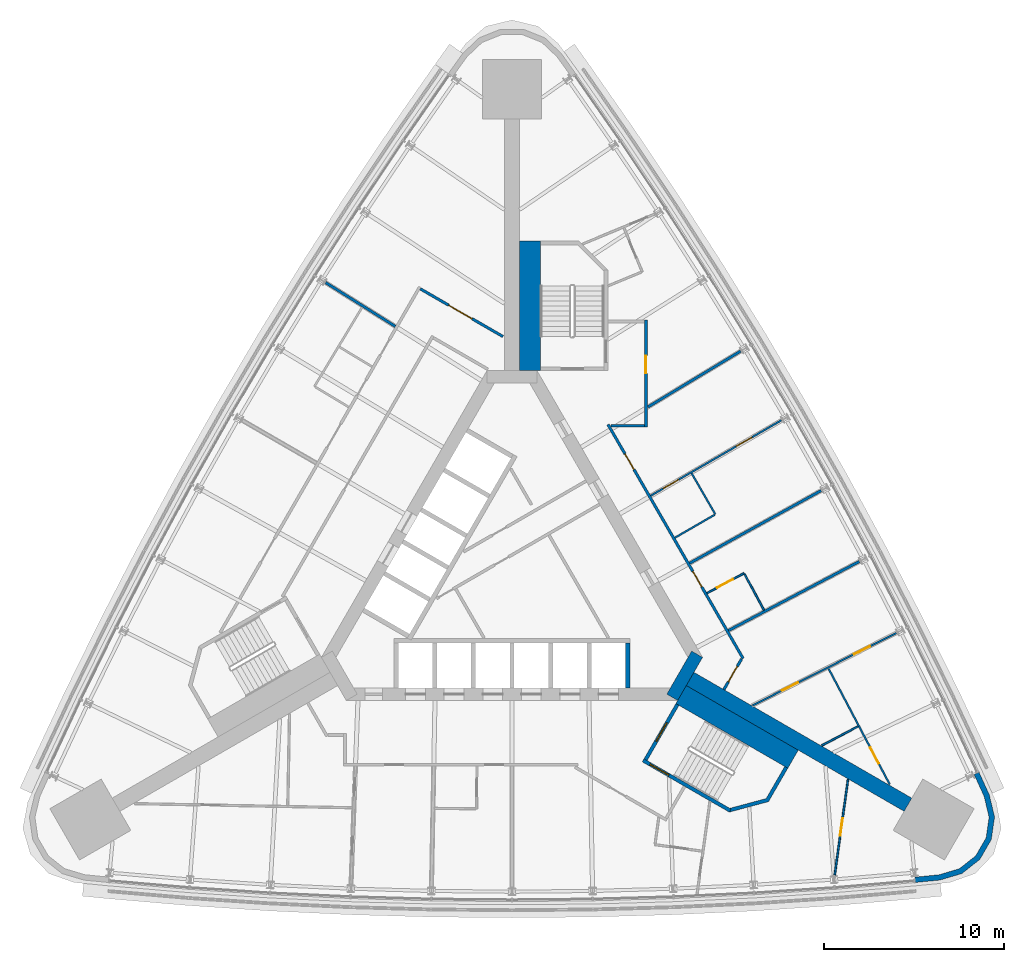
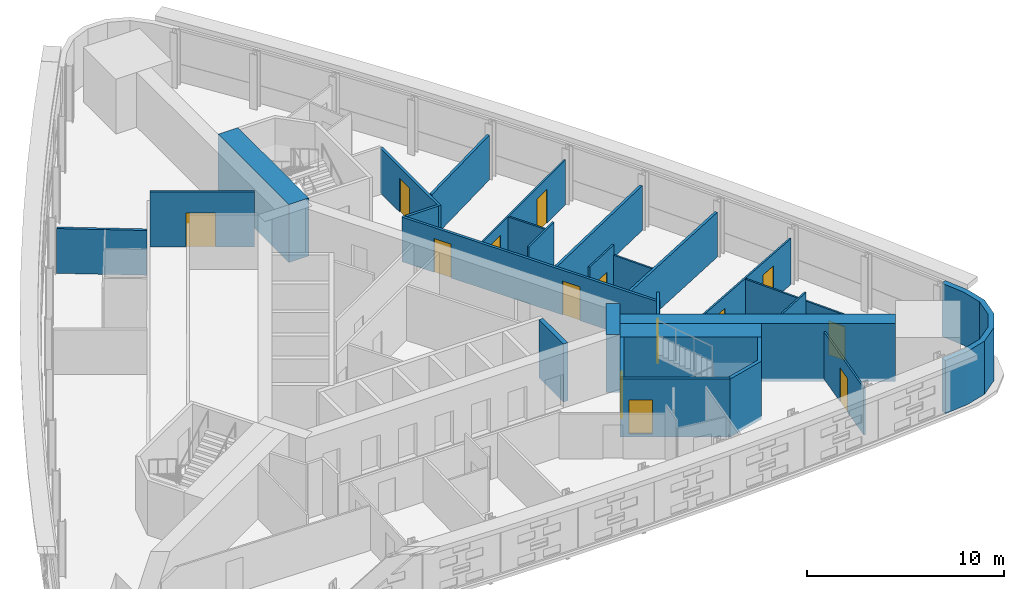
# One storey, part 12 of 15: 27 walls, 14 doors, 14 openings.
"""IFC4 building model written with IfcOpenShell, lengths in metres."""

from ifc_helpers import new_model, si_unit, direction, frame, frame_2d, origin, place, context, subcontext, project, spatial, polyline, rectangle, outline, extrude, material, layer, layer_set, type_object, element, fill, save


model = new_model("IFC4")

# Units and contexts
model_context = context("Model", 3, precision=1e-05, world=origin(), true_north=direction((0.0, 1.0)))
body_context = subcontext(model_context, "Body", "Model", "MODEL_VIEW")
ifc_project = project(units=[si_unit("LENGTHUNIT", "METRE"), si_unit("AREAUNIT", "SQUARE_METRE"), si_unit("VOLUMEUNIT", "CUBIC_METRE"), si_unit("PLANEANGLEUNIT", "RADIAN"), si_unit("MASSUNIT", "GRAM", prefix="KILO")], contexts=[model_context])

# Site, building, storey
site_placement = place(None, origin())
site = spatial("IfcSite", under=ifc_project, at=site_placement, CompositionType="ELEMENT")
building_placement = place(site_placement, origin())
building = spatial("IfcBuilding", under=site, at=building_placement, Name="Noor Cloister Tower", CompositionType="ELEMENT")
storey_placement = place(building_placement, frame((0.0, 0.0, 45.60009765625)))
storey = spatial("IfcBuildingStorey", under=building, at=storey_placement, Name="L11", CompositionType="ELEMENT", Elevation=45.60009765625)

# Walls
ifc_material_1 = material(Name="Concrete C80/95", Category="concrete")
ifc_layer_1 = layer(ifc_material_1, 0.85009765625)
ifc_layer_set_1 = layer_set([ifc_layer_1], Name="Buttress wall 850 C80/95")
wall_type_1 = type_object("IfcWallType", Name="Buttress wall 850 C80/95", PredefinedType="SHEAR", material=ifc_layer_set_1)
wall_1_placement = place(storey_placement, frame((9.921630859375, -5.728271484375, -0.2001953125), z_axis=(0.0, 0.0, 1.0), x_axis=(0.866021666006, -0.500006473966, 0.0)))
element("IfcWall", 1, at=wall_1_placement, inside=storey, type_object=wall_type_1, Name="Buttress wall SE L11", PredefinedType="SHEAR", context=body_context, shape_type="SweptSolid", body=[
    extrude(rectangle(XDim=14.013427734375, YDim=0.85009765625, at=frame_2d((7.0068359375, 0.0))), origin(), (0.0, 0.0, 1.0), 3.60009765625),
])
ifc_material_2 = material(Name="Concrete C80/95", Category="concrete")
ifc_layer_2 = layer(ifc_material_2, 0.699951171875)
ifc_layer_set_2 = layer_set([ifc_layer_2], Name="Core wall 700 C80/95")
wall_type_2 = type_object("IfcWallType", Name="Core wall 700 C80/95", PredefinedType="SHEAR", material=ifc_layer_set_2)
wall_2_placement = place(storey_placement, frame((8.925537109375, -6.753173828125, -0.2001953125), z_axis=(0.0, 0.0, 1.0), x_axis=(0.500042739161, 0.866000726912, 0.0)))
element("IfcWall", 2, at=wall_2_placement, inside=storey, type_object=wall_type_2, Name="Core wall L11 2", PredefinedType="SHEAR", context=body_context, shape_type="SweptSolid", body=[
    extrude(rectangle(XDim=2.771240234375, YDim=0.699951171875, at=frame_2d((1.3857421875, 0.0))), origin(), (0.0, 0.0, 1.0), 3.60009765625),
])

# Wall, openings, doors
ifc_material_3 = material(Name="Gypsum board partition on steel studs, 150 mm", Category="steel")
ifc_layer_3 = layer(ifc_material_3, 0.14990234375)
ifc_layer_set_3 = layer_set([ifc_layer_3], Name="Flat wall 150")
wall_type_3 = type_object("IfcWallType", Name="Flat wall 150", PredefinedType="PARTITIONING", material=ifc_layer_set_3)
wall_3_placement = place(storey_placement, frame((5.34619140625, 8.4462890625, 0.0), z_axis=(0.0, 0.0, 1.0), x_axis=(0.500008781656, -0.866020333634, 0.0)))
wall_3 = element("IfcWall", 3, at=wall_3_placement, inside=storey, type_object=wall_type_3, Name="Flat wall 150 L11 003", PredefinedType="PARTITIONING", context=body_context, shape_type="SweptSolid", body=[
    extrude(rectangle(XDim=15.056884765625, YDim=0.14990234375, at=frame_2d((7.5283203125, 0.0))), origin(), (0.0, 0.0, 1.0), 2.77783203125),
])
opening_1_placement = place(wall_3_placement, frame((9.4462890625, 0.0, 0.0)))
opening_1 = element("IfcOpeningElement", 4, at=opening_1_placement, cuts=wall_3, Name="Opening L11-006", PredefinedType="OPENING", context=body_context, shape_type="SweptSolid", body=[
    extrude(rectangle(XDim=1.0, YDim=2.10009765625, at=frame_2d((0.5, 1.050048828125))), frame((0.0, 0.0849609375, 0.0), z_axis=(0.0, -1.0, 0.0), x_axis=(1.0, 0.0, 0.0)), (0.0, 0.0, 1.0), 0.169921875),
])
opening_2_placement = place(wall_3_placement, frame((1.8916015625, 0.0, 0.0)))
opening_2 = element("IfcOpeningElement", 5, at=opening_2_placement, cuts=wall_3, Name="Opening L11-007", PredefinedType="OPENING", context=body_context, shape_type="SweptSolid", body=[
    extrude(rectangle(XDim=1.0, YDim=2.10009765625, at=frame_2d((0.5, 1.050048828125))), frame((0.0, 0.0849609375, 0.0), z_axis=(0.0, -1.0, 0.0), x_axis=(1.0, 0.0, 0.0)), (0.0, 0.0, 1.0), 0.169921875),
])
ifc_material_4 = material(Name="Timber door leaf with steel frame", Category="steel")
door_type_1 = type_object("IfcDoorType", Name="Assisted living door 1000", OperationType="NOTDEFINED", PredefinedType="DOOR", material=ifc_material_4)
door_1_placement = place(opening_1_placement, origin())
door_1 = element("IfcDoor", 6, at=door_1_placement, inside=storey, type_object=door_type_1, Name="Assisted living door 1000 L11-006", OperationType="SINGLE_SWING_RIGHT", OverallHeight=2.10009765625, OverallWidth=1.0, PredefinedType="DOOR", context=body_context, shape_type="SweptSolid", body=[
    extrude(rectangle(XDim=1.0, YDim=2.10009765625, at=frame_2d((0.5, 1.050048828125))), frame((0.0, 0.02490234375, 0.0), z_axis=(0.0, -1.0, 0.0), x_axis=(1.0, 0.0, 0.0)), (0.0, 0.0, 1.0), 0.050048828125),
])
fill(opening_1, door_1)
ifc_material_5 = material(Name="Timber door leaf with steel frame", Category="steel")
door_type_2 = type_object("IfcDoorType", Name="Flat entrance door 1000 FD60S", OperationType="NOTDEFINED", PredefinedType="DOOR", material=ifc_material_5)
door_2_placement = place(opening_2_placement, origin())
door_2 = element("IfcDoor", 7, at=door_2_placement, inside=storey, type_object=door_type_2, Name="Flat entrance door 1000 L11-007", OperationType="SINGLE_SWING_LEFT", OverallHeight=2.10009765625, OverallWidth=1.0, PredefinedType="DOOR", context=body_context, shape_type="SweptSolid", body=[
    extrude(rectangle(XDim=1.0, YDim=2.10009765625, at=frame_2d((0.5, 1.050048828125))), frame((0.0, 0.02490234375, 0.0), z_axis=(0.0, -1.0, 0.0), x_axis=(1.0, 0.0, 0.0)), (0.0, 0.0, 1.0), 0.050048828125),
])
fill(opening_2, door_2)

# Wall, opening, door
wall_4_placement = place(storey_placement, frame((7.460693359375, 14.25634765625, 0.0), z_axis=(0.0, 0.0, 1.0), x_axis=(0.0, -1.0, 0.0)))
wall_4 = element("IfcWall", 8, at=wall_4_placement, inside=storey, type_object=wall_type_3, Name="Flat wall 150 L11 005", PredefinedType="PARTITIONING", context=body_context, shape_type="SweptSolid", body=[
    extrude(rectangle(XDim=5.949951171875, YDim=0.14990234375, at=frame_2d((2.97509765625, 0.0))), origin(), (0.0, 0.0, 1.0), 2.77783203125),
])
opening_3_placement = place(wall_4_placement, frame((1.970458984375, 0.0, 0.0)))
opening_3 = element("IfcOpeningElement", 9, at=opening_3_placement, cuts=wall_4, Name="Opening L11-010", PredefinedType="OPENING", context=body_context, shape_type="SweptSolid", body=[
    extrude(rectangle(XDim=1.0, YDim=2.10009765625, at=frame_2d((0.5, 1.050048828125))), frame((0.0, 0.0849609375, 0.0), z_axis=(0.0, -1.0, 0.0), x_axis=(1.0, 0.0, 0.0)), (0.0, 0.0, 1.0), 0.169921875),
])
door_3_placement = place(opening_3_placement, origin())
door_3 = element("IfcDoor", 10, at=door_3_placement, inside=storey, type_object=door_type_2, Name="Flat entrance door 1000 L11-010", OperationType="SINGLE_SWING_LEFT", OverallHeight=2.10009765625, OverallWidth=1.0, PredefinedType="DOOR", context=body_context, shape_type="SweptSolid", body=[
    extrude(rectangle(XDim=1.0, YDim=2.10009765625, at=frame_2d((0.5, 1.050048828125))), frame((0.0, 0.02490234375, 0.0), z_axis=(0.0, -1.0, 0.0), x_axis=(1.0, 0.0, 0.0)), (0.0, 0.0, 1.0), 0.050048828125),
])
fill(opening_3, door_3)

wall_5_placement = place(storey_placement, frame((-5.111328125, 16.00341796875, 0.0), z_axis=(0.0, 0.0, 1.0), x_axis=(0.866034245675, -0.499984685083, 0.0)))
wall_5 = element("IfcWall", 11, at=wall_5_placement, inside=storey, type_object=wall_type_3, Name="Flat wall 150 L11 007", PredefinedType="PARTITIONING", context=body_context, shape_type="SweptSolid", body=[
    extrude(rectangle(XDim=5.319091796875, YDim=0.14990234375, at=frame_2d((2.65966796875, 0.0))), origin(), (0.0, 0.0, 1.0), 3.39990234375),
])
opening_4_placement = place(wall_5_placement, frame((1.83447265625, 0.0, 0.0)))
opening_4 = element("IfcOpeningElement", 12, at=opening_4_placement, cuts=wall_5, Name="Opening L11-012", PredefinedType="OPENING", context=body_context, shape_type="SweptSolid", body=[
    extrude(rectangle(XDim=1.5, YDim=2.10009765625, at=frame_2d((0.75, 1.050048828125))), frame((0.0, 0.0849609375, 0.0), z_axis=(0.0, -1.0, 0.0), x_axis=(1.0, 0.0, 0.0)), (0.0, 0.0, 1.0), 0.169921875),
])
ifc_material_6 = material(Name="Timber door leaf with steel frame", Category="steel")
door_type_3 = type_object("IfcDoorType", Name="Double door 1500 FD60", OperationType="NOTDEFINED", PredefinedType="DOOR", material=ifc_material_6)
door_4_placement = place(opening_4_placement, origin())
door_4 = element("IfcDoor", 13, at=door_4_placement, inside=storey, type_object=door_type_3, Name="Double door 1500 L11-012", OperationType="DOUBLE_DOOR_SINGLE_SWING", OverallHeight=2.10009765625, OverallWidth=1.5, PredefinedType="DOOR", context=body_context, shape_type="SweptSolid", body=[
    extrude(rectangle(XDim=1.5, YDim=2.10009765625, at=frame_2d((0.75, 1.050048828125))), frame((0.0, 0.02490234375, 0.0), z_axis=(0.0, -1.0, 0.0), x_axis=(1.0, 0.0, 0.0)), (0.0, 0.0, 1.0), 0.050048828125),
])
fill(opening_4, door_4)

wall_6_placement = place(storey_placement, frame((12.785888671875, -4.616943359375, 0.0), z_axis=(0.0, 0.0, 1.0), x_axis=(-0.500058665202, -0.865991530765, 0.0)))
wall_6 = element("IfcWall", 14, at=wall_6_placement, inside=storey, type_object=wall_type_3, Name="Flat wall 150 L11 011", PredefinedType="PARTITIONING", context=body_context, shape_type="SweptSolid", body=[
    extrude(rectangle(XDim=1.969482421875, YDim=0.14990234375, at=frame_2d((0.98486328125, 0.0))), origin(), (0.0, 0.0, 1.0), 3.39990234375),
])
opening_5_placement = place(wall_6_placement, frame((0.47119140625, 0.0, 0.0)))
opening_5 = element("IfcOpeningElement", 15, at=opening_5_placement, cuts=wall_6, Name="Opening L11-013", PredefinedType="OPENING", context=body_context, shape_type="SweptSolid", body=[
    extrude(rectangle(XDim=1.0, YDim=2.10009765625, at=frame_2d((0.5, 1.050048828125))), frame((0.0, 0.0849609375, 0.0), z_axis=(0.0, -1.0, 0.0), x_axis=(1.0, 0.0, 0.0)), (0.0, 0.0, 1.0), 0.169921875),
])
door_5_placement = place(opening_5_placement, origin())
door_5 = element("IfcDoor", 16, at=door_5_placement, inside=storey, type_object=door_type_2, Name="Flat entrance door 1000 L11-013", OperationType="SINGLE_SWING_LEFT", OverallHeight=2.10009765625, OverallWidth=1.0, PredefinedType="DOOR", context=body_context, shape_type="SweptSolid", body=[
    extrude(rectangle(XDim=1.0, YDim=2.10009765625, at=frame_2d((0.5, 1.050048828125))), frame((0.0, 0.02490234375, 0.0), z_axis=(0.0, -1.0, 0.0), x_axis=(1.0, 0.0, 0.0)), (0.0, 0.0, 1.0), 0.050048828125),
])
fill(opening_5, door_5)

# Walls
wall_7_placement = place(storey_placement, frame((5.513671875, 8.38134765625, 0.0), z_axis=(0.0, 0.0, 1.0), x_axis=(1.0, 0.0, 0.0)))
element("IfcWall", 17, at=wall_7_placement, inside=storey, type_object=wall_type_3, Name="Flat wall 150 L11 013", PredefinedType="PARTITIONING", context=body_context, shape_type="SweptSolid", body=[
    extrude(rectangle(XDim=1.871826171875, YDim=0.14990234375, at=frame_2d((0.93603515625, 0.0))), origin(), (0.0, 0.0, 1.0), 2.77783203125),
])
wall_8_placement = place(storey_placement, frame((17.21484375, 4.760498046875, 0.0), z_axis=(0.0, 0.0, 1.0), x_axis=(-0.875336511681, -0.483514210048, 0.0)))
element("IfcWall", 18, at=wall_8_placement, inside=storey, type_object=wall_type_3, Name="Flat wall 150 L11 016", PredefinedType="PARTITIONING", context=body_context, shape_type="SweptSolid", body=[
    extrude(rectangle(XDim=8.360595703125, YDim=0.14990234375, at=frame_2d((4.18017578125, 0.0))), origin(), (0.0, 0.0, 1.0), 2.77783203125),
])
wall_9_placement = place(storey_placement, frame((19.34619140625, 0.814697265625, 0.0), z_axis=(0.0, 0.0, 1.0), x_axis=(-0.884307928431, -0.466904152599, 0.0)))
element("IfcWall", 19, at=wall_9_placement, inside=storey, type_object=wall_type_3, Name="Flat wall 150 L11 017", PredefinedType="PARTITIONING", context=body_context, shape_type="SweptSolid", body=[
    extrude(rectangle(XDim=8.236572265625, YDim=0.14990234375, at=frame_2d((4.1181640625, 0.0))), origin(), (0.0, 0.0, 1.0), 2.77783203125),
])
wall_10_placement = place(storey_placement, frame((12.730224609375, 12.528076171875, 0.0), z_axis=(0.0, 0.0, 1.0), x_axis=(-0.856413986998, -0.516289727648, 0.0)))
element("IfcWall", 20, at=wall_10_placement, inside=storey, type_object=wall_type_3, Name="Flat wall 150 L11 020", PredefinedType="PARTITIONING", context=body_context, shape_type="SweptSolid", body=[
    extrude(rectangle(XDim=6.020263671875, YDim=0.14990234375, at=frame_2d((3.01025390625, 0.0))), origin(), (0.0, 0.0, 1.0), 2.77783203125),
])
wall_11_placement = place(storey_placement, frame((-10.37841796875, 16.346923828125, 0.0), z_axis=(0.0, 0.0, 1.0), x_axis=(0.846489789966, -0.532404954414, 0.0)))
element("IfcWall", 21, at=wall_11_placement, inside=storey, type_object=wall_type_3, Name="Flat wall 150 L11 022", PredefinedType="PARTITIONING", context=body_context, shape_type="SweptSolid", body=[
    extrude(rectangle(XDim=4.583740234375, YDim=0.14990234375, at=frame_2d((2.2919921875, 0.0))), origin(), (0.0, 0.0, 1.0), 2.77783203125),
])
ifc_material_7 = material(Name="Limestone", Category="masonry")
ifc_layer_4 = layer(ifc_material_7, 0.300048828125)
ifc_layer_set_4 = layer_set([ifc_layer_4], Name="Limestone cladding 300")
wall_type_4 = type_object("IfcWallType", Name="Limestone cladding 300", PredefinedType="NOTDEFINED", material=ifc_layer_set_4)
wall_12_placement = place(storey_placement, origin())
element("IfcWall", 22, at=wall_12_placement, inside=storey, type_object=wall_type_4, Name="Limestone pier cladding L11 2.1", PredefinedType="NOTDEFINED", context=body_context, shape_type="SweptSolid", body=[
    extrude(outline(polyline([(22.466552734375, -17.06787109375), (23.841796875, -16.933349609375), (25.0615234375, -16.56982421875), (26.060546875, -15.781005859375), (26.697021484375, -14.6787109375), (26.880615234375, -13.419189453125), (26.585693359375, -12.180908203125), (26.014404296875, -10.922607421875), (25.741455078125, -11.046630859375), (26.300537109375, -12.278564453125), (26.575439453125, -13.4326171875), (26.408447265625, -14.578369140625), (25.829345703125, -15.5810546875), (24.9208984375, -16.298828125), (23.783935546875, -16.6376953125), (22.437255859375, -16.769287109375), (22.466552734375, -17.06787109375)])), origin(), (0.0, 0.0, 1.0), 3.2998046875),
])

# Wall, openings, doors
ifc_material_8 = material(Name="Gypsum board partition on steel studs, 100 mm", Category="steel")
ifc_layer_5 = layer(ifc_material_8, 0.10009765625)
ifc_layer_set_5 = layer_set([ifc_layer_5], Name="Partition 100")
wall_type_5 = type_object("IfcWallType", Name="Partition 100", PredefinedType="PARTITIONING", material=ifc_layer_set_5)
wall_13_placement = place(storey_placement, frame((21.40234375, -3.1708984375, 0.0), z_axis=(0.0, 0.0, 1.0), x_axis=(-0.892974760713, -0.450106739263, 0.0)))
wall_13 = element("IfcWall", 23, at=wall_13_placement, inside=storey, type_object=wall_type_5, Name="Partition 100 L11 024", PredefinedType="PARTITIONING", context=body_context, shape_type="SweptSolid", body=[
    extrude(rectangle(XDim=8.971435546875, YDim=0.10009765625, at=frame_2d((4.48583984375, 0.0))), origin(), (0.0, 0.0, 1.0), 2.846923828125),
])
opening_6_placement = place(wall_13_placement, frame((6.125, 0.0, 0.0)))
opening_6 = element("IfcOpeningElement", 24, at=opening_6_placement, cuts=wall_13, Name="Opening L11-015", PredefinedType="OPENING", context=body_context, shape_type="SweptSolid", body=[
    extrude(rectangle(XDim=1.0, YDim=2.10009765625, at=frame_2d((0.5, 1.050048828125))), frame((0.0, 0.06005859375, 0.0), z_axis=(0.0, -1.0, 0.0), x_axis=(1.0, 0.0, 0.0)), (0.0, 0.0, 1.0), 0.1201171875),
])
opening_7_placement = place(wall_13_placement, frame((1.63525390625, 0.0, 0.0)))
opening_7 = element("IfcOpeningElement", 25, at=opening_7_placement, cuts=wall_13, Name="Opening L11-016", PredefinedType="OPENING", context=body_context, shape_type="SweptSolid", body=[
    extrude(rectangle(XDim=1.0, YDim=2.10009765625, at=frame_2d((0.5, 1.050048828125))), frame((0.0, 0.06005859375, 0.0), z_axis=(0.0, -1.0, 0.0), x_axis=(1.0, 0.0, 0.0)), (0.0, 0.0, 1.0), 0.1201171875),
])
ifc_material_9 = material(Name="Timber door leaf with steel frame", Category="steel")
door_type_4 = type_object("IfcDoorType", Name="Interior door 1000", OperationType="NOTDEFINED", PredefinedType="DOOR", material=ifc_material_9)
door_6_placement = place(opening_6_placement, origin())
door_6 = element("IfcDoor", 26, at=door_6_placement, inside=storey, type_object=door_type_4, Name="Interior door 1000 L11-015", OperationType="SINGLE_SWING_RIGHT", OverallHeight=2.10009765625, OverallWidth=1.0, PredefinedType="DOOR", context=body_context, shape_type="SweptSolid", body=[
    extrude(rectangle(XDim=1.0, YDim=2.10009765625, at=frame_2d((0.5, 1.050048828125))), frame((0.0, 0.02490234375, 0.0), z_axis=(0.0, -1.0, 0.0), x_axis=(1.0, 0.0, 0.0)), (0.0, 0.0, 1.0), 0.050048828125),
])
fill(opening_6, door_6)
door_7_placement = place(opening_7_placement, origin())
door_7 = element("IfcDoor", 27, at=door_7_placement, inside=storey, type_object=door_type_4, Name="Interior door 1000 L11-016", OperationType="SINGLE_SWING_LEFT", OverallHeight=2.10009765625, OverallWidth=1.0, PredefinedType="DOOR", context=body_context, shape_type="SweptSolid", body=[
    extrude(rectangle(XDim=1.0, YDim=2.10009765625, at=frame_2d((0.5, 1.050048828125))), frame((0.0, 0.02490234375, 0.0), z_axis=(0.0, -1.0, 0.0), x_axis=(1.0, 0.0, 0.0)), (0.0, 0.0, 1.0), 0.050048828125),
])
fill(opening_7, door_7)

wall_14_placement = place(storey_placement, frame((15.002197265625, 8.67724609375, 0.0), z_axis=(0.0, 0.0, 1.0), x_axis=(-0.866019139798, -0.500010849386, 0.0)))
wall_14 = element("IfcWall", 28, at=wall_14_placement, inside=storey, type_object=wall_type_5, Name="Partition 100 L11 025", PredefinedType="PARTITIONING", context=body_context, shape_type="SweptSolid", body=[
    extrude(rectangle(XDim=8.402587890625, YDim=0.10009765625, at=frame_2d((4.201171875, 0.0))), origin(), (0.0, 0.0, 1.0), 2.77783203125),
])
opening_8_placement = place(wall_14_placement, frame((6.602783203125, 0.0, 0.0)))
opening_8 = element("IfcOpeningElement", 29, at=opening_8_placement, cuts=wall_14, Name="Opening L11-017", PredefinedType="OPENING", context=body_context, shape_type="SweptSolid", body=[
    extrude(rectangle(XDim=1.0, YDim=2.10009765625, at=frame_2d((0.5, 1.050048828125))), frame((0.0, 0.06005859375, 0.0), z_axis=(0.0, -1.0, 0.0), x_axis=(1.0, 0.0, 0.0)), (0.0, 0.0, 1.0), 0.1201171875),
])
opening_9_placement = place(wall_14_placement, frame((1.89990234375, 0.0, 0.0)))
opening_9 = element("IfcOpeningElement", 30, at=opening_9_placement, cuts=wall_14, Name="Opening L11-018", PredefinedType="OPENING", context=body_context, shape_type="SweptSolid", body=[
    extrude(rectangle(XDim=1.0, YDim=2.10009765625, at=frame_2d((0.5, 1.050048828125))), frame((0.0, 0.06005859375, 0.0), z_axis=(0.0, -1.0, 0.0), x_axis=(1.0, 0.0, 0.0)), (0.0, 0.0, 1.0), 0.1201171875),
])
door_8_placement = place(opening_8_placement, origin())
door_8 = element("IfcDoor", 31, at=door_8_placement, inside=storey, type_object=door_type_4, Name="Interior door 1000 L11-017", OperationType="SINGLE_SWING_RIGHT", OverallHeight=2.10009765625, OverallWidth=1.0, PredefinedType="DOOR", context=body_context, shape_type="SweptSolid", body=[
    extrude(rectangle(XDim=1.0, YDim=2.10009765625, at=frame_2d((0.5, 1.050048828125))), frame((0.0, 0.02490234375, 0.0), z_axis=(0.0, -1.0, 0.0), x_axis=(1.0, 0.0, 0.0)), (0.0, 0.0, 1.0), 0.050048828125),
])
fill(opening_8, door_8)
door_9_placement = place(opening_9_placement, origin())
door_9 = element("IfcDoor", 32, at=door_9_placement, inside=storey, type_object=door_type_4, Name="Interior door 1000 L11-018", OperationType="SINGLE_SWING_LEFT", OverallHeight=2.10009765625, OverallWidth=1.0, PredefinedType="DOOR", context=body_context, shape_type="SweptSolid", body=[
    extrude(rectangle(XDim=1.0, YDim=2.10009765625, at=frame_2d((0.5, 1.050048828125))), frame((0.0, 0.02490234375, 0.0), z_axis=(0.0, -1.0, 0.0), x_axis=(1.0, 0.0, 0.0)), (0.0, 0.0, 1.0), 0.050048828125),
])
fill(opening_9, door_9)

# Wall, opening, door
wall_15_placement = place(storey_placement, frame((21.0419921875, -11.60888671875, 0.0), z_axis=(0.0, 0.0, 1.0), x_axis=(-0.466893242862, 0.884313688557, 0.0)))
wall_15 = element("IfcWall", 33, at=wall_15_placement, inside=storey, type_object=wall_type_5, Name="Partition 100 L11 026", PredefinedType="PARTITIONING", context=body_context, shape_type="SweptSolid", body=[
    extrude(rectangle(XDim=7.288818359375, YDim=0.10009765625, at=frame_2d((3.64453125, 0.0))), origin(), (0.0, 0.0, 1.0), 2.846923828125),
])
opening_10_placement = place(wall_15_placement, frame((1.3193359375, 0.0, 0.0)))
opening_10 = element("IfcOpeningElement", 34, at=opening_10_placement, cuts=wall_15, Name="Opening L11-019", PredefinedType="OPENING", context=body_context, shape_type="SweptSolid", body=[
    extrude(rectangle(XDim=1.0, YDim=2.10009765625, at=frame_2d((0.5, 1.050048828125))), frame((0.0, 0.06005859375, 0.0), z_axis=(0.0, -1.0, 0.0), x_axis=(1.0, 0.0, 0.0)), (0.0, 0.0, 1.0), 0.1201171875),
])
door_10_placement = place(opening_10_placement, origin())
door_10 = element("IfcDoor", 35, at=door_10_placement, inside=storey, type_object=door_type_4, Name="Interior door 1000 L11-019", OperationType="SINGLE_SWING_LEFT", OverallHeight=2.10009765625, OverallWidth=1.0, PredefinedType="DOOR", context=body_context, shape_type="SweptSolid", body=[
    extrude(rectangle(XDim=1.0, YDim=2.10009765625, at=frame_2d((0.5, 1.050048828125))), frame((0.0, 0.02490234375, 0.0), z_axis=(0.0, -1.0, 0.0), x_axis=(1.0, 0.0, 0.0)), (0.0, 0.0, 1.0), 0.050048828125),
])
fill(opening_10, door_10)

wall_16_placement = place(storey_placement, frame((18.716552734375, -11.318603515625, 0.0), z_axis=(0.0, 0.0, 1.0), x_axis=(-0.13752632962, -0.990498111387, 0.0)))
wall_16 = element("IfcWall", 36, at=wall_16_placement, inside=storey, type_object=wall_type_5, Name="Partition 100 L11 028", PredefinedType="PARTITIONING", context=body_context, shape_type="SweptSolid", body=[
    extrude(rectangle(XDim=5.380615234375, YDim=0.10009765625, at=frame_2d((2.6904296875, 0.0))), origin(), (0.0, 0.0, 1.0), 2.9228515625),
])
opening_11_placement = place(wall_16_placement, frame((2.180419921875, 0.0, 0.0)))
opening_11 = element("IfcOpeningElement", 37, at=opening_11_placement, cuts=wall_16, Name="Opening L11-022", PredefinedType="OPENING", context=body_context, shape_type="SweptSolid", body=[
    extrude(rectangle(XDim=1.0, YDim=2.10009765625, at=frame_2d((0.5, 1.050048828125))), frame((0.0, 0.06005859375, 0.0), z_axis=(0.0, -1.0, 0.0), x_axis=(1.0, 0.0, 0.0)), (0.0, 0.0, 1.0), 0.1201171875),
])
door_11_placement = place(opening_11_placement, origin())
door_11 = element("IfcDoor", 38, at=door_11_placement, inside=storey, type_object=door_type_4, Name="Interior door 1000 L11-022", OperationType="SINGLE_SWING_LEFT", OverallHeight=2.10009765625, OverallWidth=1.0, PredefinedType="DOOR", context=body_context, shape_type="SweptSolid", body=[
    extrude(rectangle(XDim=1.0, YDim=2.10009765625, at=frame_2d((0.5, 1.050048828125))), frame((0.0, 0.02490234375, 0.0), z_axis=(0.0, -1.0, 0.0), x_axis=(1.0, 0.0, 0.0)), (0.0, 0.0, 1.0), 0.050048828125),
])
fill(opening_11, door_11)

# Walls
wall_17_placement = place(storey_placement, frame((10.001953125, 5.732421875, 0.0), z_axis=(0.0, 0.0, 1.0), x_axis=(0.499993606316, -0.866029095148, 0.0)))
element("IfcWall", 39, at=wall_17_placement, inside=storey, type_object=wall_type_5, Name="Partition 100 L11 035", PredefinedType="PARTITIONING", context=body_context, shape_type="SweptSolid", body=[
    extrude(rectangle(XDim=2.64990234375, YDim=0.10009765625, at=frame_2d((1.324951171875, 0.0))), origin(), (0.0, 0.0, 1.0), 2.77783203125),
])
wall_18_placement = place(storey_placement, frame((11.28369140625, 3.41259765625, 0.0), z_axis=(0.0, 0.0, 1.0), x_axis=(-0.866054858364, -0.499948979701, 0.0)))
element("IfcWall", 40, at=wall_18_placement, inside=storey, type_object=wall_type_5, Name="Partition 100 L11 036", PredefinedType="PARTITIONING", context=body_context, shape_type="SweptSolid", body=[
    extrude(rectangle(XDim=2.550048828125, YDim=0.10009765625, at=frame_2d((1.27490234375, 0.0))), origin(), (0.0, 0.0, 1.0), 3.39990234375),
])
wall_19_placement = place(storey_placement, frame((19.275390625, -8.3701171875, 0.0), z_axis=(0.0, 0.0, 1.0), x_axis=(-0.884285648232, -0.466946348451, 0.0)))
element("IfcWall", 41, at=wall_19_placement, inside=storey, type_object=wall_type_5, Name="Partition 100 L11 038", PredefinedType="PARTITIONING", context=body_context, shape_type="SweptSolid", body=[
    extrude(rectangle(XDim=2.28857421875, YDim=0.10009765625, at=frame_2d((1.144287109375, 0.0))), origin(), (0.0, 0.0, 1.0), 3.39990234375),
])

# Wall, opening, door
wall_20_placement = place(storey_placement, frame((12.92626953125, 0.16015625, 0.0), z_axis=(0.0, 0.0, 1.0), x_axis=(-0.879868843932, -0.475216600591, 0.0)))
wall_20 = element("IfcWall", 42, at=wall_20_placement, inside=storey, type_object=wall_type_5, Name="Partition 100 L11 040", PredefinedType="PARTITIONING", context=body_context, shape_type="SweptSolid", body=[
    extrude(rectangle(XDim=2.345703125, YDim=0.10009765625, at=frame_2d((1.1728515625, 0.0))), origin(), (0.0, 0.0, 1.0), 3.39990234375),
])
opening_12_placement = place(wall_20_placement, frame((0.699951171875, 0.0, 0.0)))
opening_12 = element("IfcOpeningElement", 43, at=opening_12_placement, cuts=wall_20, Name="Opening L11-028", PredefinedType="OPENING", context=body_context, shape_type="SweptSolid", body=[
    extrude(rectangle(XDim=1.0, YDim=2.10009765625, at=frame_2d((0.5, 1.050048828125))), frame((0.0, 0.06005859375, 0.0), z_axis=(0.0, -1.0, 0.0), x_axis=(1.0, 0.0, 0.0)), (0.0, 0.0, 1.0), 0.1201171875),
])
door_12_placement = place(opening_12_placement, origin())
door_12 = element("IfcDoor", 44, at=door_12_placement, inside=storey, type_object=door_type_4, Name="Interior door 1000 L11-028", OperationType="SINGLE_SWING_RIGHT", OverallHeight=2.10009765625, OverallWidth=1.0, PredefinedType="DOOR", context=body_context, shape_type="SweptSolid", body=[
    extrude(rectangle(XDim=1.0, YDim=2.10009765625, at=frame_2d((0.5, 1.050048828125))), frame((0.0, 0.02490234375, 0.0), z_axis=(0.0, -1.0, 0.0), x_axis=(1.0, 0.0, 0.0)), (0.0, 0.0, 1.0), 0.050048828125),
])
fill(opening_12, door_12)

# Walls
wall_21_placement = place(storey_placement, frame((14.039794921875, -1.901611328125, 0.0), z_axis=(0.0, 0.0, 1.0), x_axis=(-0.475140672056, 0.879909848654, 0.0)))
element("IfcWall", 45, at=wall_21_placement, inside=storey, type_object=wall_type_5, Name="Partition 100 L11 041", PredefinedType="PARTITIONING", context=body_context, shape_type="SweptSolid", body=[
    extrude(rectangle(XDim=2.293212890625, YDim=0.10009765625, at=frame_2d((1.146484375, 0.0))), origin(), (0.0, 0.0, 1.0), 2.77783203125),
])
ifc_material_10 = material(Name="Concrete C80/95", Category="concrete")
ifc_layer_6 = layer(ifc_material_10, 0.25)
ifc_layer_set_6 = layer_set([ifc_layer_6], Name="Shaft wall 250 C80/95")
wall_type_6 = type_object("IfcWallType", Name="Shaft wall 250 C80/95", PredefinedType="PARTITIONING", material=ifc_layer_set_6)
wall_22_placement = place(storey_placement, frame((6.449951171875, -6.228271484375, -0.2001953125), z_axis=(0.0, 0.0, 1.0), x_axis=(0.0, 1.0, 0.0)))
element("IfcWall", 46, at=wall_22_placement, inside=storey, type_object=wall_type_6, Name="Lift shaft wall L11 S 7", PredefinedType="PARTITIONING", context=body_context, shape_type="SweptSolid", body=[
    extrude(rectangle(XDim=2.5, YDim=0.25, at=frame_2d((1.25, 0.0))), origin(), (0.0, 0.0, 1.0), 3.60009765625),
])
ifc_material_11 = material(Name="Concrete C80/95", Category="concrete")
ifc_layer_7 = layer(ifc_material_11, 1.160888671875)
ifc_layer_set_7 = layer_set([ifc_layer_7], Name="Stair enclosure wall 1161 C80/95")
wall_type_7 = type_object("IfcWallType", Name="Stair enclosure wall 1161 C80/95", PredefinedType="SHEAR", material=ifc_layer_set_7)
wall_23_placement = place(storey_placement, frame((1.00537109375, 11.456298828125, -0.2001953125), z_axis=(0.0, 0.0, 1.0), x_axis=(0.0, 1.0, 0.0)))
element("IfcWall", 47, at=wall_23_placement, inside=storey, type_object=wall_type_7, Name="Stair enclosure wall ST1 L11 riser side", PredefinedType="SHEAR", context=body_context, shape_type="SweptSolid", body=[
    extrude(rectangle(XDim=7.2001953125, YDim=1.16064453125, at=frame_2d((3.60009765625, 0.0))), origin(), (0.0, 0.0, 1.0), 3.60009765625),
])
wall_24_placement = place(storey_placement, frame((9.4189453125, -6.598876953125, -0.2001953125), z_axis=(0.0, 0.0, 1.0), x_axis=(0.866033125095, -0.499986626058, 0.0)))
element("IfcWall", 48, at=wall_24_placement, inside=storey, type_object=wall_type_7, Name="Stair enclosure wall ST3 L11 riser side", PredefinedType="SHEAR", context=body_context, shape_type="SweptSolid", body=[
    extrude(rectangle(XDim=7.199951171875, YDim=1.16064453125, at=frame_2d((3.60009765625, 0.0))), origin(), (0.0, 0.0, 1.0), 3.60009765625),
])

# Wall, opening, door
ifc_material_12 = material(Name="Concrete C80/95", Category="concrete")
ifc_layer_8 = layer(ifc_material_12, 0.199951171875)
ifc_layer_set_8 = layer_set([ifc_layer_8], Name="Stair enclosure wall 200 C80/95")
wall_type_8 = type_object("IfcWallType", Name="Stair enclosure wall 200 C80/95", PredefinedType="SHEAR", material=ifc_layer_set_8)
wall_25_placement = place(storey_placement, frame((7.440185546875, -10.225830078125, -0.2001953125), z_axis=(0.0, 0.0, 1.0), x_axis=(0.500022077904, 0.866012656725, 0.0)))
wall_25 = element("IfcWall", 49, at=wall_25_placement, inside=storey, type_object=wall_type_8, Name="Stair enclosure wall ST3 L11 near end", PredefinedType="SHEAR", context=body_context, shape_type="SweptSolid", body=[
    extrude(rectangle(XDim=3.550048828125, YDim=0.199951171875, at=frame_2d((1.77490234375, 0.0))), origin(), (0.0, 0.0, 1.0), 3.60009765625),
])
opening_13_placement = place(wall_25_placement, frame((1.175048828125, 0.0, 0.199951171875)))
opening_13 = element("IfcOpeningElement", 50, at=opening_13_placement, cuts=wall_25, Name="Opening L11-ST3L", PredefinedType="OPENING", context=body_context, shape_type="SweptSolid", body=[
    extrude(rectangle(XDim=1.199951171875, YDim=2.10009765625, at=frame_2d((0.60009765625, 1.050048828125))), frame((0.0, 0.10986328125, 0.0), z_axis=(0.0, -1.0, 0.0), x_axis=(1.0, 0.0, 0.0)), (0.0, 0.0, 1.0), 0.219970703125),
])
ifc_material_13 = material(Name="Steel", Category="steel")
door_type_5 = type_object("IfcDoorType", Name="Stair door 1200 x 2100 FD120", OperationType="SINGLE_SWING_LEFT", PredefinedType="DOOR", material=ifc_material_13)
door_13_placement = place(opening_13_placement, origin())
door_13 = element("IfcDoor", 51, at=door_13_placement, inside=storey, type_object=door_type_5, Name="Stair door ST3 L11", OperationType="SINGLE_SWING_RIGHT", OverallHeight=2.10009765625, OverallWidth=1.199951171875, PredefinedType="DOOR", context=body_context, shape_type="SweptSolid", body=[
    extrude(rectangle(XDim=1.199951171875, YDim=2.10009765625, at=frame_2d((0.60009765625, 1.050048828125))), frame((0.0, 0.02490234375, 0.0), z_axis=(0.0, -1.0, 0.0), x_axis=(1.0, 0.0, 0.0)), (0.0, 0.0, 1.0), 0.050048828125),
])
fill(opening_13, door_13)

wall_26_placement = place(storey_placement, frame((7.3037109375, -10.262451171875, -0.2001953125), z_axis=(0.0, 0.0, 1.0), x_axis=(0.866026594901, -0.49999793692, 0.0)))
wall_26 = element("IfcWall", 52, at=wall_26_placement, inside=storey, type_object=wall_type_8, Name="Stair enclosure wall ST3 L11 outer side", PredefinedType="SHEAR", context=body_context, shape_type="SweptSolid", body=[
    extrude(rectangle(XDim=5.60009765625, YDim=0.199951171875, at=frame_2d((2.800048828125, 0.0))), origin(), (0.0, 0.0, 1.0), 3.60009765625),
])
opening_14_placement = place(wall_26_placement, frame((0.449951171875, 0.0, 0.199951171875)))
opening_14 = element("IfcOpeningElement", 53, at=opening_14_placement, cuts=wall_26, Name="Opening L11-ST3C", PredefinedType="OPENING", context=body_context, shape_type="SweptSolid", body=[
    extrude(rectangle(XDim=1.199951171875, YDim=2.10009765625, at=frame_2d((0.60009765625, 1.050048828125))), frame((0.0, 0.10986328125, 0.0), z_axis=(0.0, -1.0, 0.0), x_axis=(1.0, 0.0, 0.0)), (0.0, 0.0, 1.0), 0.219970703125),
])
door_14_placement = place(opening_14_placement, origin())
door_14 = element("IfcDoor", 54, at=door_14_placement, inside=storey, type_object=door_type_5, Name="Stair door ST3 L11", OperationType="SINGLE_SWING_LEFT", OverallHeight=2.10009765625, OverallWidth=1.199951171875, PredefinedType="DOOR", context=body_context, shape_type="SweptSolid", body=[
    extrude(rectangle(XDim=1.199951171875, YDim=2.10009765625, at=frame_2d((0.60009765625, 1.050048828125))), frame((0.0, 0.02490234375, 0.0), z_axis=(0.0, -1.0, 0.0), x_axis=(1.0, 0.0, 0.0)), (0.0, 0.0, 1.0), 0.050048828125),
])
fill(opening_14, door_14)

# Wall
ifc_material_14 = material(Name="Concrete C80/95", Category="concrete")
wall_type_9 = type_object("IfcWallType", Name="Stair far end wall C80/95", PredefinedType="SHEAR", material=ifc_material_14)
wall_27_placement = place(storey_placement, frame((0.0, 0.0, -0.2001953125)))
element("IfcWall", 55, at=wall_27_placement, inside=storey, type_object=wall_type_9, Name="Stair enclosure wall ST3 L11 far end", PredefinedType="SHEAR", context=body_context, shape_type="SweptSolid", body=[
    extrude(outline(polyline([(12.103515625, -13.14892578125), (14.2890625, -12.5634765625), (15.364013671875, -10.701416015625), (15.19091796875, -10.601318359375), (14.1572265625, -12.3916015625), (12.131591796875, -12.934326171875), (12.20361328125, -12.975830078125), (12.20361328125, -12.975830078125), (12.20361328125, -12.975830078125), (12.20361328125, -12.975830078125), (12.20361328125, -12.975830078125), (12.20361328125, -12.975830078125), (12.20361328125, -12.975830078125), (12.20361328125, -12.975830078125), (12.20361328125, -12.975830078125), (12.20361328125, -12.975830078125), (12.20361328125, -12.975830078125), (12.20361328125, -12.975830078125), (12.20361328125, -12.975830078125), (12.20361328125, -12.975830078125), (12.20361328125, -12.975830078125), (12.20361328125, -12.975830078125), (12.20361328125, -12.975830078125), (12.103515625, -13.14892578125)])), origin(), (0.0, 0.0, 1.0), 3.60009765625),
])

save(model, "model.ifc")
